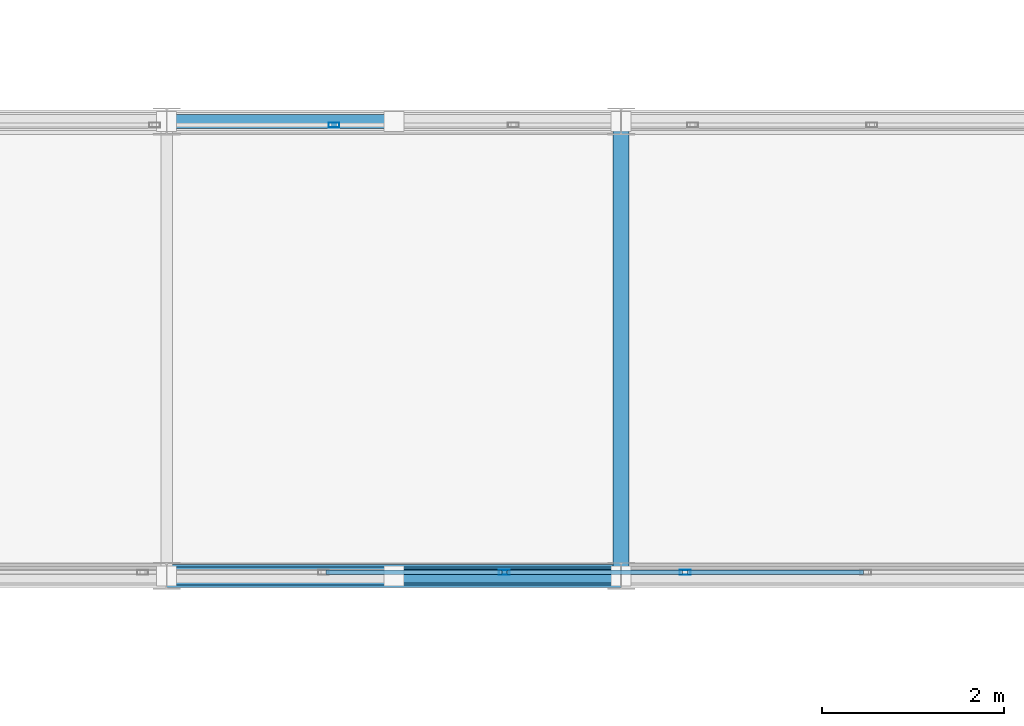
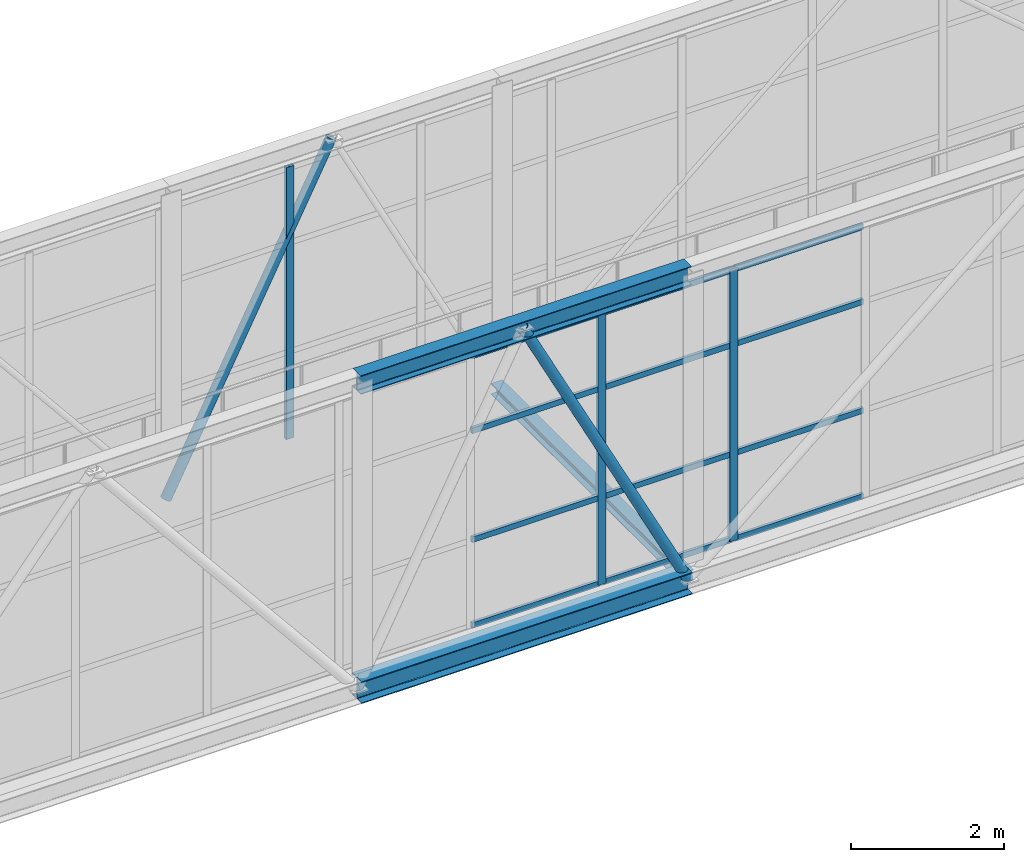
# One storey, part 170 of 248: 20 members, 2 elements without a shape of their own.
"""IFC4 building model written with IfcOpenShell, lengths in metres."""

from ifc_helpers import new_model, si_unit, direction, frame, origin, origin_2d, place, context, subcontext, project, spatial, hollow_rectangle, hollow_circle, i_section, extrude, material, layer, layer_set, material_profile, profile_set, type_object, element, aggregate, save


model = new_model("IFC4")

# Units and contexts
model_context = context("Model", 3, precision=1e-05, world=origin(), true_north=direction((0.0, 1.0)))
body_context = subcontext(model_context, "Body", "Model", "MODEL_VIEW")
ifc_project = project(units=[si_unit("LENGTHUNIT", "METRE"), si_unit("AREAUNIT", "SQUARE_METRE"), si_unit("VOLUMEUNIT", "CUBIC_METRE"), si_unit("PLANEANGLEUNIT", "RADIAN"), si_unit("MASSUNIT", "GRAM", prefix="KILO")], contexts=[model_context])

# Site, building, storey
site_placement = place(None, origin())
site = spatial("IfcSite", under=ifc_project, at=site_placement, CompositionType="ELEMENT")
building_placement = place(site_placement, origin())
building = spatial("IfcBuilding", under=site, at=building_placement, Name="Canggui Botanical Conservatory", CompositionType="ELEMENT")
storey_placement = place(building_placement, frame((0.0, 0.0, 5.39990234375)))
storey = spatial("IfcBuildingStorey", under=building, at=storey_placement, Name="L02", CompositionType="ELEMENT", Elevation=5.39990234375)

# Curtain wall, members
ifc_material_1 = material(Name="Thermally Broken Aluminium", Category="aluminium")
ifc_layer = layer(ifc_material_1, 0.1201171875, Name="Thermally Broken Aluminium", Category="aluminium")
ifc_layer_set = layer_set([ifc_layer], Name="Thermally Broken Aluminium")
curtain_wall_type = type_object("IfcCurtainWallType", Name="CW-STICK-B", PredefinedType="USERDEFINED", material=ifc_layer_set)
curtain_wall_1_placement = place(storey_placement, origin())
curtain_wall_1 = element("IfcCurtainWall", 1, at=curtain_wall_1_placement, inside=storey, type_object=curtain_wall_type, Name="Facade Curtain Wall CW-SB-04-1", ObjectType="STICK GLAZED WALL", PredefinedType="USERDEFINED")
ifc_material_profile_1 = material_profile(ifc_material_1, hollow_rectangle(XDim=0.054931640625, YDim=0.1201171875, WallThickness=0.0029296875, at=origin_2d()), Name="CWM 55x120x3")
ifc_profile_set_1 = profile_set([ifc_material_profile_1], Name="Thermally Broken Aluminium")
member_type_1 = type_object("IfcMemberType", Name="CWM-05", PredefinedType="MULLION", material=ifc_profile_set_1)
member_1_placement = place(storey_placement, frame((117.2138671875, 75.0400390625, 0.0), z_axis=(0.0, 0.0, 1.0), x_axis=(0.0, 1.0, 0.0)))
member_1 = element("IfcMember", 2, at=member_1_placement, type_object=member_type_1, Name="CW-05 mullion 26", PredefinedType="MULLION", context=body_context, shape_type="SweptSolid", body=[
    extrude(hollow_rectangle(XDim=0.054931640625, YDim=0.1201171875, WallThickness=0.0029296875, at=origin_2d()), origin(), (0.0, 0.0, 1.0), 4.35009765625),
])
member_2_placement = place(storey_placement, frame((119.203125, 75.0400390625, 0.0), z_axis=(0.0, 0.0, 1.0), x_axis=(0.0, 1.0, 0.0)))
member_2 = element("IfcMember", 3, at=member_2_placement, type_object=member_type_1, Name="CW-05 mullion 27", PredefinedType="MULLION", context=body_context, shape_type="SweptSolid", body=[
    extrude(hollow_rectangle(XDim=0.054931640625, YDim=0.1201171875, WallThickness=0.0029296875, at=origin_2d()), origin(), (0.0, 0.0, 1.0), 4.35009765625),
])

# Curtain wall, member
curtain_wall_2_placement = place(storey_placement, origin())
curtain_wall_2 = element("IfcCurtainWall", 4, at=curtain_wall_2_placement, inside=storey, type_object=curtain_wall_type, Name="Facade Curtain Wall CW-SB-04-2", ObjectType="STICK GLAZED WALL", PredefinedType="USERDEFINED")
member_3_placement = place(storey_placement, frame((115.34033203125, 79.9599609375, 0.0), z_axis=(0.0, 0.0, 1.0), x_axis=(0.0, 1.0, 0.0)))
member_3 = element("IfcMember", 5, at=member_3_placement, type_object=member_type_1, Name="CW-05 mullion 26", PredefinedType="MULLION", context=body_context, shape_type="SweptSolid", body=[
    extrude(hollow_rectangle(XDim=0.054931640625, YDim=0.1201171875, WallThickness=0.0029296875, at=origin_2d()), origin(), (0.0, 0.0, 1.0), 4.35009765625),
])
aggregate(curtain_wall_2, [member_3])

# Member
ifc_material_profile_2 = material_profile(ifc_material_1, hollow_rectangle(XDim=0.044921875, YDim=0.090087890625, WallThickness=0.0029296875, at=origin_2d()), Name="CWT 45x90x3")
ifc_profile_set_2 = profile_set([ifc_material_profile_2], Name="Thermally Broken Aluminium")
member_type_2 = type_object("IfcMemberType", Name="CWT-05", PredefinedType="USERDEFINED", material=ifc_profile_set_2)
member_4_placement = place(storey_placement, frame((115.251953125, 75.0400390625, 0.022705078125), z_axis=(1.0, 0.0, 0.0), x_axis=(0.0, 1.0, 0.0)))
member_4 = element("IfcMember", 6, at=member_4_placement, type_object=member_type_2, Name="CW-05 transom 25.1", ObjectType="TRANSOM", PredefinedType="USERDEFINED", context=body_context, shape_type="SweptSolid", body=[
    extrude(hollow_rectangle(XDim=0.044921875, YDim=0.090087890625, WallThickness=0.0029296875, at=origin_2d()), origin(), (0.0, 0.0, 1.0), 1.934326171875),
])

member_5_placement = place(storey_placement, frame((115.251953125, 75.0400390625, 1.39208984375), z_axis=(1.0, 0.0, 0.0), x_axis=(0.0, 1.0, 0.0)))
member_5 = element("IfcMember", 7, at=member_5_placement, type_object=member_type_2, Name="CW-05 transom 25.2", ObjectType="TRANSOM", PredefinedType="USERDEFINED", context=body_context, shape_type="SweptSolid", body=[
    extrude(hollow_rectangle(XDim=0.044921875, YDim=0.090087890625, WallThickness=0.0029296875, at=origin_2d()), origin(), (0.0, 0.0, 1.0), 1.934326171875),
])

member_6_placement = place(storey_placement, frame((115.251953125, 75.0400390625, 3.132080078125), z_axis=(1.0, 0.0, 0.0), x_axis=(0.0, 1.0, 0.0)))
member_6 = element("IfcMember", 8, at=member_6_placement, type_object=member_type_2, Name="CW-05 transom 25.3", ObjectType="TRANSOM", PredefinedType="USERDEFINED", context=body_context, shape_type="SweptSolid", body=[
    extrude(hollow_rectangle(XDim=0.044921875, YDim=0.090087890625, WallThickness=0.0029296875, at=origin_2d()), origin(), (0.0, 0.0, 1.0), 1.934326171875),
])

member_7_placement = place(storey_placement, frame((115.251953125, 75.0400390625, 4.32763671875), z_axis=(1.0, 0.0, 0.0), x_axis=(0.0, 1.0, 0.0)))
member_7 = element("IfcMember", 9, at=member_7_placement, type_object=member_type_2, Name="CW-05 transom 25.4", ObjectType="TRANSOM", PredefinedType="USERDEFINED", context=body_context, shape_type="SweptSolid", body=[
    extrude(hollow_rectangle(XDim=0.044921875, YDim=0.090087890625, WallThickness=0.0029296875, at=origin_2d()), origin(), (0.0, 0.0, 1.0), 1.934326171875),
])

member_8_placement = place(storey_placement, frame((117.241455078125, 75.0400390625, 0.022705078125), z_axis=(1.0, 0.0, 0.0), x_axis=(0.0, 1.0, 0.0)))
member_8 = element("IfcMember", 10, at=member_8_placement, type_object=member_type_2, Name="CW-05 transom 26.1", ObjectType="TRANSOM", PredefinedType="USERDEFINED", context=body_context, shape_type="SweptSolid", body=[
    extrude(hollow_rectangle(XDim=0.044921875, YDim=0.090087890625, WallThickness=0.0029296875, at=origin_2d()), origin(), (0.0, 0.0, 1.0), 1.934326171875),
])

member_9_placement = place(storey_placement, frame((117.241455078125, 75.0400390625, 1.39208984375), z_axis=(1.0, 0.0, 0.0), x_axis=(0.0, 1.0, 0.0)))
member_9 = element("IfcMember", 11, at=member_9_placement, type_object=member_type_2, Name="CW-05 transom 26.2", ObjectType="TRANSOM", PredefinedType="USERDEFINED", context=body_context, shape_type="SweptSolid", body=[
    extrude(hollow_rectangle(XDim=0.044921875, YDim=0.090087890625, WallThickness=0.0029296875, at=origin_2d()), origin(), (0.0, 0.0, 1.0), 1.934326171875),
])

member_10_placement = place(storey_placement, frame((117.241455078125, 75.0400390625, 3.132080078125), z_axis=(1.0, 0.0, 0.0), x_axis=(0.0, 1.0, 0.0)))
member_10 = element("IfcMember", 12, at=member_10_placement, type_object=member_type_2, Name="CW-05 transom 26.3", ObjectType="TRANSOM", PredefinedType="USERDEFINED", context=body_context, shape_type="SweptSolid", body=[
    extrude(hollow_rectangle(XDim=0.044921875, YDim=0.090087890625, WallThickness=0.0029296875, at=origin_2d()), origin(), (0.0, 0.0, 1.0), 1.934326171875),
])

member_11_placement = place(storey_placement, frame((117.241455078125, 75.0400390625, 4.32763671875), z_axis=(1.0, 0.0, 0.0), x_axis=(0.0, 1.0, 0.0)))
member_11 = element("IfcMember", 13, at=member_11_placement, type_object=member_type_2, Name="CW-05 transom 26.4", ObjectType="TRANSOM", PredefinedType="USERDEFINED", context=body_context, shape_type="SweptSolid", body=[
    extrude(hollow_rectangle(XDim=0.044921875, YDim=0.090087890625, WallThickness=0.0029296875, at=origin_2d()), origin(), (0.0, 0.0, 1.0), 1.934326171875),
])

member_12_placement = place(storey_placement, frame((119.230712890625, 75.0400390625, 0.022705078125), z_axis=(1.0, 0.0, 0.0), x_axis=(0.0, 1.0, 0.0)))
member_12 = element("IfcMember", 14, at=member_12_placement, type_object=member_type_2, Name="CW-05 transom 27.1", ObjectType="TRANSOM", PredefinedType="USERDEFINED", context=body_context, shape_type="SweptSolid", body=[
    extrude(hollow_rectangle(XDim=0.044921875, YDim=0.090087890625, WallThickness=0.0029296875, at=origin_2d()), origin(), (0.0, 0.0, 1.0), 1.934326171875),
])

member_13_placement = place(storey_placement, frame((119.230712890625, 75.0400390625, 1.39208984375), z_axis=(1.0, 0.0, 0.0), x_axis=(0.0, 1.0, 0.0)))
member_13 = element("IfcMember", 15, at=member_13_placement, type_object=member_type_2, Name="CW-05 transom 27.2", ObjectType="TRANSOM", PredefinedType="USERDEFINED", context=body_context, shape_type="SweptSolid", body=[
    extrude(hollow_rectangle(XDim=0.044921875, YDim=0.090087890625, WallThickness=0.0029296875, at=origin_2d()), origin(), (0.0, 0.0, 1.0), 1.934326171875),
])

member_14_placement = place(storey_placement, frame((119.230712890625, 75.0400390625, 3.132080078125), z_axis=(1.0, 0.0, 0.0), x_axis=(0.0, 1.0, 0.0)))
member_14 = element("IfcMember", 16, at=member_14_placement, type_object=member_type_2, Name="CW-05 transom 27.3", ObjectType="TRANSOM", PredefinedType="USERDEFINED", context=body_context, shape_type="SweptSolid", body=[
    extrude(hollow_rectangle(XDim=0.044921875, YDim=0.090087890625, WallThickness=0.0029296875, at=origin_2d()), origin(), (0.0, 0.0, 1.0), 1.934326171875),
])

member_15_placement = place(storey_placement, frame((119.230712890625, 75.0400390625, 4.32763671875), z_axis=(1.0, 0.0, 0.0), x_axis=(0.0, 1.0, 0.0)))
member_15 = element("IfcMember", 17, at=member_15_placement, type_object=member_type_2, Name="CW-05 transom 27.4", ObjectType="TRANSOM", PredefinedType="USERDEFINED", context=body_context, shape_type="SweptSolid", body=[
    extrude(hollow_rectangle(XDim=0.044921875, YDim=0.090087890625, WallThickness=0.0029296875, at=origin_2d()), origin(), (0.0, 0.0, 1.0), 1.934326171875),
])

aggregate(curtain_wall_1, [member_1, member_2, member_4, member_5, member_6, member_7, member_8, member_9, member_10, member_11, member_12, member_13, member_14, member_15])

# Members
ifc_material_2 = material(Name="Steel Q355C", Category="steel")
ifc_material_profile_3 = material_profile(ifc_material_2, hollow_circle(Radius=0.075927734375, WallThickness=0.006103515625, at=origin_2d()), Name="CHS 152x6")
ifc_profile_set_3 = profile_set([ifc_material_profile_3], Name="Steel Q355C")
member_type_3 = type_object("IfcMemberType", Name="MEM-GSD04", PredefinedType="RAFTER", material=ifc_profile_set_3)
for number, where, z_axis, x_axis, name in (
    (18, (116.0, 75.0, 4.550048828125), (0.45447752854, 0.0, -0.89075820291), (0.0, 1.0, 0.0), "SB-04 Truss Web Rafter 1.8B"),
    (19, (113.5, 80.0, -0.349853515625), (0.45447752854, 0.0, 0.89075820291), (0.0, 1.0, 0.0), "SB-04 Truss Web Rafter 2.8A"),
):
    element("IfcMember", number, at=place(storey_placement, frame(where, z_axis=z_axis, x_axis=x_axis)), inside=storey, type_object=member_type_3, Name=name, PredefinedType="RAFTER", context=body_context, shape_type="SweptSolid", body=[
        extrude(hollow_circle(Radius=0.075927734375, WallThickness=0.006103515625, at=origin_2d()), origin(), (0.0, 0.0, 1.0), 5.500732421875),
    ])
ifc_material_3 = material(Name="Steel Q355B", Category="steel")
ifc_material_profile_4 = material_profile(ifc_material_3, i_section(OverallWidth=0.175048828125, OverallDepth=0.175048828125, WebThickness=0.007568359375, FlangeThickness=0.010986328125, FilletRadius=0.011962890625, at=origin_2d()), Name="HW 175x175x7.5x11")
ifc_profile_set_4 = profile_set([ifc_material_profile_4], Name="Steel Q355B")
member_type_4 = type_object("IfcMemberType", Name="MEM-STR02", PredefinedType="STRINGER", material=ifc_profile_set_4)
member_16_placement = place(storey_placement, frame((118.5, 75.0, -0.31982421875), z_axis=(0.0, 1.0, 0.0), x_axis=(-1.0, 0.0, 0.0)))
element("IfcMember", 20, at=member_16_placement, inside=storey, type_object=member_type_4, Name="SB-04 Deck Transverse Stringer 7", PredefinedType="STRINGER", context=body_context, shape_type="SweptSolid", body=[
    extrude(i_section(OverallWidth=0.175048828125, OverallDepth=0.175048828125, WebThickness=0.007568359375, FlangeThickness=0.010986328125, FilletRadius=0.011962890625, at=origin_2d()), origin(), (0.0, 0.0, 1.0), 5.0),
])
ifc_material_profile_5 = material_profile(ifc_material_3, i_section(OverallWidth=0.25, OverallDepth=0.35009765625, WebThickness=0.009033203125, FlangeThickness=0.013916015625, FilletRadius=0.02001953125, at=origin_2d()), Name="HM 350x250x9x14")
ifc_profile_set_5 = profile_set([ifc_material_profile_5], Name="Steel Q355B")
member_type_5 = type_object("IfcMemberType", Name="MEM-TC03", PredefinedType="CHORD", material=ifc_profile_set_5)
member_17_placement = place(storey_placement, frame((113.5, 75.0, -0.349853515625), z_axis=(1.0, 0.0, 0.0), x_axis=(0.0, 1.0, 0.0)))
element("IfcMember", 21, at=member_17_placement, inside=storey, type_object=member_type_5, Name="SB-04 Deck Truss Bottom Chord 1.8", PredefinedType="CHORD", context=body_context, shape_type="SweptSolid", body=[
    extrude(i_section(OverallWidth=0.25, OverallDepth=0.35009765625, WebThickness=0.009033203125, FlangeThickness=0.013916015625, FilletRadius=0.02001953125, at=origin_2d()), origin(), (0.0, 0.0, 1.0), 5.0),
])
ifc_material_profile_6 = material_profile(ifc_material_3, i_section(OverallWidth=0.199951171875, OverallDepth=0.300048828125, WebThickness=0.008056640625, FlangeThickness=0.011962890625, FilletRadius=0.01806640625, at=origin_2d()), Name="HM 300x200x8x12")
ifc_profile_set_6 = profile_set([ifc_material_profile_6], Name="Steel Q355B")
member_type_6 = type_object("IfcMemberType", Name="MEM-TC04", PredefinedType="CHORD", material=ifc_profile_set_6)
member_18_placement = place(storey_placement, frame((113.5, 75.0, 4.550048828125), z_axis=(1.0, 0.0, 0.0), x_axis=(0.0, 1.0, 0.0)))
element("IfcMember", 22, at=member_18_placement, inside=storey, type_object=member_type_6, Name="SB-04 Roof Truss Top Chord 1.8", PredefinedType="CHORD", context=body_context, shape_type="SweptSolid", body=[
    extrude(i_section(OverallWidth=0.199951171875, OverallDepth=0.300048828125, WebThickness=0.008056640625, FlangeThickness=0.011962890625, FilletRadius=0.01806640625, at=origin_2d()), origin(), (0.0, 0.0, 1.0), 5.0),
])

save(model, "model.ifc")
